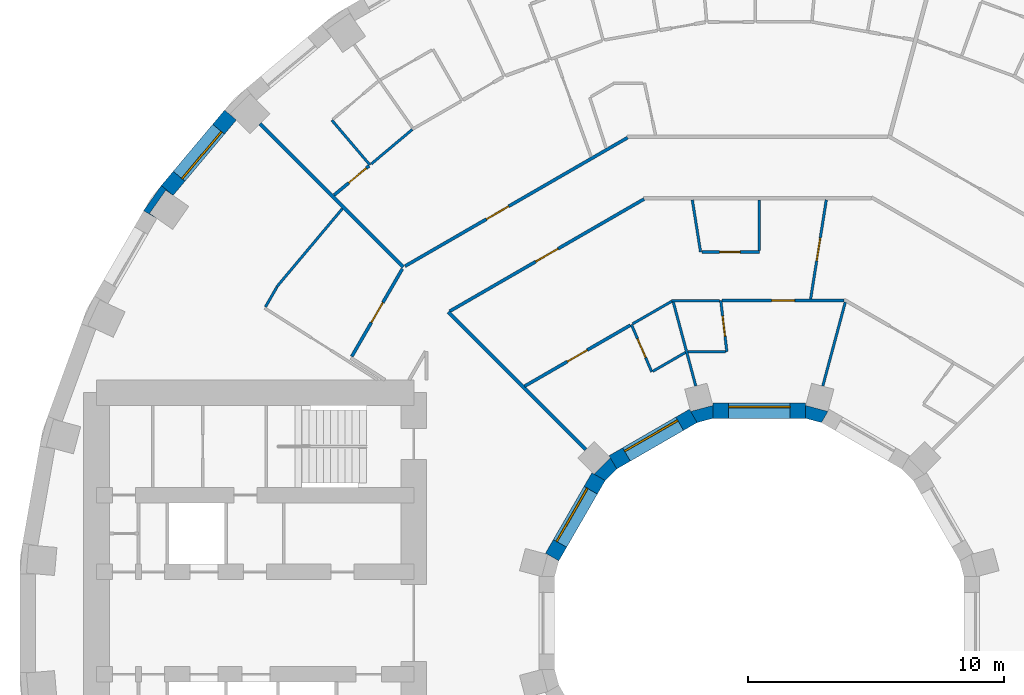
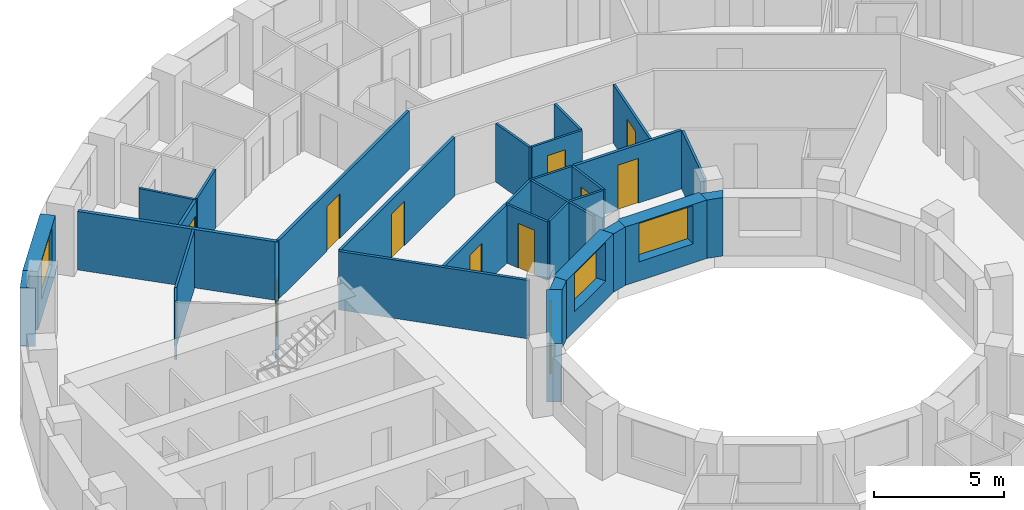
# One storey, part 11 of 16: 32 walls, 10 doors, 4 windows, 14 openings.
"""IFC4 building model written with IfcOpenShell, lengths in metres."""

from ifc_helpers import new_model, si_unit, direction, frame, frame_2d, origin, place, context, subcontext, project, spatial, polyline, rectangle, outline, extrude, material, layer, layer_set, type_object, element, fill, save


model = new_model("IFC4")

# Units and contexts
model_context = context("Model", 3, precision=1e-05, world=origin(), true_north=direction((0.0, 1.0)))
body_context = subcontext(model_context, "Body", "Model", "MODEL_VIEW")
ifc_project = project(units=[si_unit("LENGTHUNIT", "METRE"), si_unit("AREAUNIT", "SQUARE_METRE"), si_unit("VOLUMEUNIT", "CUBIC_METRE"), si_unit("PLANEANGLEUNIT", "RADIAN"), si_unit("MASSUNIT", "GRAM", prefix="KILO")], contexts=[model_context])

# Site, building, storey
site_placement = place(None, origin())
site = spatial("IfcSite", under=ifc_project, at=site_placement, CompositionType="ELEMENT")
building_placement = place(site_placement, origin())
building = spatial("IfcBuilding", under=site, at=building_placement, Name="Saqina Gate Tower", CompositionType="ELEMENT")
storey_placement = place(building_placement, frame((0.0, 0.0, 32.89990234375)))
storey = spatial("IfcBuildingStorey", under=building, at=storey_placement, Name="L08", CompositionType="ELEMENT", Elevation=32.89990234375)

# Wall
ifc_material_1 = material(Name="Brick masonry (red)", Category="masonry")
wall_type_1 = type_object("IfcWallType", Name="BRICK PIER COPING RED", PredefinedType="SOLIDWALL", material=ifc_material_1)
wall_1_placement = place(storey_placement, origin())
element("IfcWall", 1, at=wall_1_placement, inside=storey, type_object=wall_type_1, Name="Pier cap L08 column 15", PredefinedType="SOLIDWALL", context=body_context, shape_type="SweptSolid", body=[
    extrude(outline(polyline([(-23.36669921875, 17.096923828125), (-24.0576171875, 16.110107421875), (-23.5380859375, 15.81005859375), (-23.8251953125, 16.010986328125), (-23.194091796875, 16.912109375), (-22.9072265625, 16.711181640625), (-23.36669921875, 17.096923828125)])), origin(), (0.0, 0.0, 1.0), 2.75),
])

# Wall, opening, window
ifc_material_2 = material(Name="Brick masonry (red)", Category="masonry")
ifc_layer_1 = layer(ifc_material_2, 0.60009765625)
ifc_layer_set_1 = layer_set([ifc_layer_1], Name="FW-BRICK-RED")
wall_type_2 = type_object("IfcWallType", Name="FW-BRICK-RED", PredefinedType="SOLIDWALL", material=ifc_layer_set_1)
wall_2_placement = place(storey_placement, frame((-20.664794921875, 19.85009765625, 0.0), z_axis=(0.0, 0.0, 1.0), x_axis=(-0.642809392687, -0.766026164483, 0.0)))
wall_2 = element("IfcWall", 2, at=wall_2_placement, inside=storey, type_object=wall_type_2, Name="Facade wall L08 facet 14", PredefinedType="SOLIDWALL", context=body_context, shape_type="SweptSolid", body=[
    extrude(rectangle(XDim=3.845947265625, YDim=0.60009765625, at=frame_2d((1.9228515625, 0.0))), origin(), (0.0, 0.0, 1.0), 2.75),
])
opening_1_placement = place(wall_2_placement, frame((0.722900390625, 0.0, 0.89990234375)))
opening_1 = element("IfcOpeningElement", 3, at=opening_1_placement, cuts=wall_2, Name="Opening G01-W12", PredefinedType="OPENING", context=body_context, shape_type="SweptSolid", body=[
    extrude(rectangle(XDim=2.39990234375, YDim=1.800048828125, at=frame_2d((1.199951171875, 0.89990234375))), frame((0.0, 0.31201171875, 0.0), z_axis=(0.0, -1.0, 0.0), x_axis=(1.0, 0.0, 0.0)), (0.0, 0.0, 1.0), 0.6240234375),
])
ifc_material_3 = material(Name="Aluminium glazing", Category="aluminium")
window_type_1 = type_object("IfcWindowType", Name="WN-A", PartitioningType="SINGLE_PANEL", PredefinedType="WINDOW", material=ifc_material_3)
window_1_placement = place(opening_1_placement, origin())
window_1 = element("IfcWindow", 4, at=window_1_placement, inside=storey, type_object=window_type_1, Name="Window L08 facet 14", OverallHeight=1.800048828125, OverallWidth=2.39990234375, PartitioningType="SINGLE_PANEL", PredefinedType="WINDOW", context=body_context, shape_type="SweptSolid", body=[
    extrude(rectangle(XDim=2.39990234375, YDim=1.800048828125, at=frame_2d((1.199951171875, 0.89990234375))), frame((0.0, 0.179931640625, 0.0), z_axis=(0.0, -1.0, 0.0), x_axis=(1.0, 0.0, 0.0)), (0.0, 0.0, 1.0), 0.06005859375),
])
fill(opening_1, window_1)

ifc_material_4 = material(Name="Glazed ceramic tile", Category="ceramic")
ifc_layer_2 = layer(ifc_material_4, 0.60009765625)
ifc_layer_set_2 = layer_set([ifc_layer_2], Name="IW-TILE")
wall_type_3 = type_object("IfcWallType", Name="IW-TILE", PredefinedType="SOLIDWALL", material=ifc_layer_set_2)
wall_3_placement = place(storey_placement, frame((1.8125, 8.300048828125, 0.0), z_axis=(0.0, 0.0, 1.0), x_axis=(-1.0, 0.0, 0.0)))
wall_3 = element("IfcWall", 5, at=wall_3_placement, inside=storey, type_object=wall_type_3, Name="Well wall L08 facet 3", PredefinedType="SOLIDWALL", context=body_context, shape_type="SweptSolid", body=[
    extrude(rectangle(XDim=3.625, YDim=0.60009765625, at=frame_2d((1.8125, 0.0))), origin(), (0.0, 0.0, 1.0), 2.75),
])
opening_2_placement = place(wall_3_placement, frame((0.612548828125, 0.0, 0.89990234375)))
opening_2 = element("IfcOpeningElement", 6, at=opening_2_placement, cuts=wall_3, Name="Opening G01-W25", PredefinedType="OPENING", context=body_context, shape_type="SweptSolid", body=[
    extrude(rectangle(XDim=2.39990234375, YDim=1.800048828125, at=frame_2d((1.199951171875, 0.89990234375))), frame((0.0, 0.31201171875, 0.0), z_axis=(0.0, -1.0, 0.0), x_axis=(1.0, 0.0, 0.0)), (0.0, 0.0, 1.0), 0.6240234375),
])
ifc_material_5 = material(Name="Aluminium glazing", Category="aluminium")
window_type_2 = type_object("IfcWindowType", Name="WN-W", PartitioningType="SINGLE_PANEL", PredefinedType="WINDOW", material=ifc_material_5)
window_2_placement = place(opening_2_placement, origin())
window_2 = element("IfcWindow", 7, at=window_2_placement, inside=storey, type_object=window_type_2, Name="Well window L08 facet 3", OverallHeight=1.800048828125, OverallWidth=2.39990234375, PartitioningType="SINGLE_PANEL", PredefinedType="WINDOW", context=body_context, shape_type="SweptSolid", body=[
    extrude(rectangle(XDim=2.39990234375, YDim=1.800048828125, at=frame_2d((1.199951171875, 0.89990234375))), frame((0.0, -0.119873046875, 0.0), z_axis=(0.0, -1.0, 0.0), x_axis=(1.0, 0.0, 0.0)), (0.0, 0.0, 1.0), 0.06005859375),
])
fill(opening_2, window_2)

wall_4_placement = place(storey_placement, frame((-2.580322265625, 8.09423828125, 0.0), z_axis=(0.0, 0.0, 1.0), x_axis=(-0.866029693906, -0.499992569217, 0.0)))
wall_4 = element("IfcWall", 8, at=wall_4_placement, inside=storey, type_object=wall_type_3, Name="Well wall L08 facet 4", PredefinedType="SOLIDWALL", context=body_context, shape_type="SweptSolid", body=[
    extrude(rectangle(XDim=3.625, YDim=0.60009765625, at=frame_2d((1.8125, 0.0))), origin(), (0.0, 0.0, 1.0), 2.75),
])
opening_3_placement = place(wall_4_placement, frame((0.612548828125, 0.0, 0.89990234375)))
opening_3 = element("IfcOpeningElement", 9, at=opening_3_placement, cuts=wall_4, Name="Opening G01-W26", PredefinedType="OPENING", context=body_context, shape_type="SweptSolid", body=[
    extrude(rectangle(XDim=2.39990234375, YDim=1.800048828125, at=frame_2d((1.199951171875, 0.89990234375))), frame((0.0, 0.31201171875, 0.0), z_axis=(0.0, -1.0, 0.0), x_axis=(1.0, 0.0, 0.0)), (0.0, 0.0, 1.0), 0.6240234375),
])
window_3_placement = place(opening_3_placement, origin())
window_3 = element("IfcWindow", 10, at=window_3_placement, inside=storey, type_object=window_type_2, Name="Well window L08 facet 4", OverallHeight=1.800048828125, OverallWidth=2.39990234375, PartitioningType="SINGLE_PANEL", PredefinedType="WINDOW", context=body_context, shape_type="SweptSolid", body=[
    extrude(rectangle(XDim=2.39990234375, YDim=1.800048828125, at=frame_2d((1.199951171875, 0.89990234375))), frame((0.0, -0.119873046875, 0.0), z_axis=(0.0, -1.0, 0.0), x_axis=(1.0, 0.0, 0.0)), (0.0, 0.0, 1.0), 0.06005859375),
])
fill(opening_3, window_3)

wall_5_placement = place(storey_placement, frame((-6.28173828125, 5.7197265625, 0.0), z_axis=(0.0, 0.0, 1.0), x_axis=(-0.499992569217, -0.866029693906, 0.0)))
wall_5 = element("IfcWall", 11, at=wall_5_placement, inside=storey, type_object=wall_type_3, Name="Well wall L08 facet 5", PredefinedType="SOLIDWALL", context=body_context, shape_type="SweptSolid", body=[
    extrude(rectangle(XDim=3.625, YDim=0.60009765625, at=frame_2d((1.8125, 0.0))), origin(), (0.0, 0.0, 1.0), 2.75),
])
opening_4_placement = place(wall_5_placement, frame((0.612548828125, 0.0, 0.89990234375)))
opening_4 = element("IfcOpeningElement", 12, at=opening_4_placement, cuts=wall_5, Name="Opening G01-W27", PredefinedType="OPENING", context=body_context, shape_type="SweptSolid", body=[
    extrude(rectangle(XDim=2.39990234375, YDim=1.800048828125, at=frame_2d((1.199951171875, 0.89990234375))), frame((0.0, 0.31201171875, 0.0), z_axis=(0.0, -1.0, 0.0), x_axis=(1.0, 0.0, 0.0)), (0.0, 0.0, 1.0), 0.6240234375),
])
window_4_placement = place(opening_4_placement, origin())
window_4 = element("IfcWindow", 13, at=window_4_placement, inside=storey, type_object=window_type_2, Name="Well window L08 facet 5", OverallHeight=1.800048828125, OverallWidth=2.39990234375, PartitioningType="SINGLE_PANEL", PredefinedType="WINDOW", context=body_context, shape_type="SweptSolid", body=[
    extrude(rectangle(XDim=2.39990234375, YDim=1.800048828125, at=frame_2d((1.199951171875, 0.89990234375))), frame((0.0, -0.119873046875, 0.0), z_axis=(0.0, -1.0, 0.0), x_axis=(1.0, 0.0, 0.0)), (0.0, 0.0, 1.0), 0.06005859375),
])
fill(opening_4, window_4)

# Wall, opening, door
ifc_material_6 = material(Name="Gypsum board on steel studs, 100 mm", Category="steel")
ifc_layer_3 = layer(ifc_material_6, 0.10009765625)
ifc_layer_set_3 = layer_set([ifc_layer_3], Name="PARTITION 100")
wall_type_4 = type_object("IfcWallType", Name="PARTITION 100", PredefinedType="PARTITIONING", material=ifc_layer_set_3)
wall_6_placement = place(storey_placement, frame((-1.506103515625, 12.60009765625, 0.0), z_axis=(0.0, 0.0, 1.0), x_axis=(0.11866247814, -0.992934648545, 0.0)))
wall_6 = element("IfcWall", 14, at=wall_6_placement, inside=storey, type_object=wall_type_4, Name="PARTITION PW3-05", PredefinedType="PARTITIONING", context=body_context, shape_type="SweptSolid", body=[
    extrude(rectangle(XDim=2.01416015625, YDim=0.10009765625, at=frame_2d((1.007080078125, 0.0))), origin(), (0.0, 0.0, 1.0), 2.75),
])
opening_5_placement = place(wall_6_placement, frame((0.607177734375, 0.0, 0.0)))
opening_5 = element("IfcOpeningElement", 15, at=opening_5_placement, cuts=wall_6, Name="Opening G01-D23", PredefinedType="OPENING", context=body_context, shape_type="SweptSolid", body=[
    extrude(rectangle(XDim=0.800048828125, YDim=2.10009765625, at=frame_2d((0.39990234375, 1.050048828125))), frame((0.0, 0.06201171875, 0.0), z_axis=(0.0, -1.0, 0.0), x_axis=(1.0, 0.0, 0.0)), (0.0, 0.0, 1.0), 0.1240234375),
])
ifc_material_7 = material(Name="Timber door leaf, 800 mm", Category="wood")
door_type_1 = type_object("IfcDoorType", Name="DOOR 800 TIMBER", OperationType="SINGLE_SWING_LEFT", PredefinedType="DOOR", material=ifc_material_7)
door_1_placement = place(opening_5_placement, origin())
door_1 = element("IfcDoor", 16, at=door_1_placement, inside=storey, type_object=door_type_1, Name="DOOR G01-D23", OperationType="SINGLE_SWING_LEFT", OverallHeight=2.10009765625, OverallWidth=0.800048828125, PredefinedType="DOOR", context=body_context, shape_type="SweptSolid", body=[
    extrude(rectangle(XDim=0.800048828125, YDim=2.10009765625, at=frame_2d((0.39990234375, 1.050048828125))), frame((0.0, 0.02490234375, 0.0), z_axis=(0.0, -1.0, 0.0), x_axis=(1.0, 0.0, 0.0)), (0.0, 0.0, 1.0), 0.050048828125),
])
fill(opening_5, door_1)

# Walls
wall_7_placement = place(storey_placement, frame((-2.6171875, 16.538330078125, 0.0), z_axis=(0.0, 0.0, 1.0), x_axis=(0.156163049852, -0.987731290312, 0.0)))
element("IfcWall", 17, at=wall_7_placement, inside=storey, type_object=wall_type_4, Name="PARTITION PW3-07", PredefinedType="PARTITIONING", context=body_context, shape_type="SweptSolid", body=[
    extrude(rectangle(XDim=2.063720703125, YDim=0.10009765625, at=frame_2d((1.03173828125, 0.0))), origin(), (0.0, 0.0, 1.0), 2.75),
])
wall_8_placement = place(storey_placement, frame((-3.362060546875, 12.552001953125, 0.0), z_axis=(0.0, 0.0, 1.0), x_axis=(0.258323584226, -0.966058448456, 0.0)))
element("IfcWall", 18, at=wall_8_placement, inside=storey, type_object=wall_type_4, Name="PARTITION PW3-13", PredefinedType="PARTITIONING", context=body_context, shape_type="SweptSolid", body=[
    extrude(rectangle(XDim=3.40234375, YDim=0.10009765625, at=frame_2d((1.701171875, 0.0))), origin(), (0.0, 0.0, 1.0), 2.75),
])

# Wall, opening, door
wall_9_placement = place(storey_placement, frame((-4.99609375, 11.6650390625, 0.0), z_axis=(0.0, 0.0, 1.0), x_axis=(0.39369991752, -0.919239019485, 0.0)))
wall_9 = element("IfcWall", 19, at=wall_9_placement, inside=storey, type_object=wall_type_4, Name="PARTITION PW3-19", PredefinedType="PARTITIONING", context=body_context, shape_type="SweptSolid", body=[
    extrude(rectangle(XDim=2.0146484375, YDim=0.10009765625, at=frame_2d((1.00732421875, 0.0))), origin(), (0.0, 0.0, 1.0), 2.75),
])
opening_6_placement = place(wall_9_placement, frame((0.607421875, 0.0, 0.0)))
opening_6 = element("IfcOpeningElement", 20, at=opening_6_placement, cuts=wall_9, Name="Opening G01-D30", PredefinedType="OPENING", context=body_context, shape_type="SweptSolid", body=[
    extrude(rectangle(XDim=0.800048828125, YDim=2.10009765625, at=frame_2d((0.39990234375, 1.050048828125))), frame((0.0, 0.06201171875, 0.0), z_axis=(0.0, -1.0, 0.0), x_axis=(1.0, 0.0, 0.0)), (0.0, 0.0, 1.0), 0.1240234375),
])
door_2_placement = place(opening_6_placement, frame((0.800048828125, 0.0, 0.0), z_axis=(0.0, 0.0, 1.0), x_axis=(-1.0, 0.0, 0.0)))
door_2 = element("IfcDoor", 21, at=door_2_placement, inside=storey, type_object=door_type_1, Name="DOOR G01-D30", OperationType="SINGLE_SWING_RIGHT", OverallHeight=2.10009765625, OverallWidth=0.800048828125, PredefinedType="DOOR", context=body_context, shape_type="SweptSolid", body=[
    extrude(rectangle(XDim=0.800048828125, YDim=2.10009765625, at=frame_2d((0.39990234375, 1.050048828125))), frame((0.0, 0.02490234375, 0.0), z_axis=(0.0, -1.0, 0.0), x_axis=(1.0, 0.0, 0.0)), (0.0, 0.0, 1.0), 0.050048828125),
])
fill(opening_6, door_2)

# Walls
wall_10_placement = place(storey_placement, frame((-16.7041015625, 19.64990234375, 0.0), z_axis=(0.0, 0.0, 1.0), x_axis=(0.647857930374, -0.761761184395, 0.0)))
element("IfcWall", 22, at=wall_10_placement, inside=storey, type_object=wall_type_4, Name="PARTITION PW3-31", PredefinedType="PARTITIONING", context=body_context, shape_type="SweptSolid", body=[
    extrude(rectangle(XDim=2.2998046875, YDim=0.10009765625, at=frame_2d((1.14990234375, 0.0))), origin(), (0.0, 0.0, 1.0), 2.75),
])
wall_11_placement = place(storey_placement, frame((-2.7900390625, 10.60009765625, 0.0), z_axis=(0.0, 0.0, 1.0), x_axis=(1.0, 0.0, 0.0)))
element("IfcWall", 23, at=wall_11_placement, inside=storey, type_object=wall_type_4, Name="PARTITION PW3-61", PredefinedType="PARTITIONING", context=body_context, shape_type="SweptSolid", body=[
    extrude(rectangle(XDim=1.47314453125, YDim=0.10009765625, at=frame_2d((0.736572265625, 0.0))), origin(), (0.0, 0.0, 1.0), 2.75),
])
wall_12_placement = place(storey_placement, frame((-3.433837890625, 12.60009765625, 0.0), z_axis=(0.0, 0.0, 1.0), x_axis=(1.0, 0.0, 0.0)))
element("IfcWall", 24, at=wall_12_placement, inside=storey, type_object=wall_type_4, Name="PARTITION PW3-62", PredefinedType="PARTITIONING", context=body_context, shape_type="SweptSolid", body=[
    extrude(rectangle(XDim=1.8779296875, YDim=0.10009765625, at=frame_2d((0.93896484375, 0.0))), origin(), (0.0, 0.0, 1.0), 2.75),
])

# Wall, opening, door
wall_13_placement = place(storey_placement, frame((-2.2451171875, 14.5, 0.0), z_axis=(0.0, 0.0, 1.0), x_axis=(1.0, 0.0, 0.0)))
wall_13 = element("IfcWall", 25, at=wall_13_placement, inside=storey, type_object=wall_type_4, Name="PARTITION PW3-63", PredefinedType="PARTITIONING", context=body_context, shape_type="SweptSolid", body=[
    extrude(rectangle(XDim=2.2451171875, YDim=0.10009765625, at=frame_2d((1.12255859375, 0.0))), origin(), (0.0, 0.0, 1.0), 2.75),
])
opening_7_placement = place(wall_13_placement, frame((0.697509765625, 0.0, 0.0)))
opening_7 = element("IfcOpeningElement", 26, at=opening_7_placement, cuts=wall_13, Name="Opening G01-D22", PredefinedType="OPENING", context=body_context, shape_type="SweptSolid", body=[
    extrude(rectangle(XDim=0.800048828125, YDim=2.10009765625, at=frame_2d((0.39990234375, 1.050048828125))), frame((0.0, 0.06201171875, 0.0), z_axis=(0.0, -1.0, 0.0), x_axis=(1.0, 0.0, 0.0)), (0.0, 0.0, 1.0), 0.1240234375),
])
door_3_placement = place(opening_7_placement, frame((0.800048828125, 0.0, 0.0), z_axis=(0.0, 0.0, 1.0), x_axis=(-1.0, 0.0, 0.0)))
door_3 = element("IfcDoor", 27, at=door_3_placement, inside=storey, type_object=door_type_1, Name="DOOR G01-D22", OperationType="SINGLE_SWING_RIGHT", OverallHeight=2.10009765625, OverallWidth=0.800048828125, PredefinedType="DOOR", context=body_context, shape_type="SweptSolid", body=[
    extrude(rectangle(XDim=0.800048828125, YDim=2.10009765625, at=frame_2d((0.39990234375, 1.050048828125))), frame((0.0, 0.02490234375, 0.0), z_axis=(0.0, -1.0, 0.0), x_axis=(1.0, 0.0, 0.0)), (0.0, 0.0, 1.0), 0.050048828125),
])
fill(opening_7, door_3)

# Walls
wall_14_placement = place(storey_placement, frame((-4.15966796875, 9.837890625, 0.0), z_axis=(0.0, 0.0, 1.0), x_axis=(0.865981447571, 0.500076126667, 0.0)))
element("IfcWall", 28, at=wall_14_placement, inside=storey, type_object=wall_type_4, Name="PARTITION PW3-78", PredefinedType="PARTITIONING", context=body_context, shape_type="SweptSolid", body=[
    extrude(rectangle(XDim=1.473876953125, YDim=0.10009765625, at=frame_2d((0.73681640625, 0.0))), origin(), (0.0, 0.0, 1.0), 2.75),
])
wall_15_placement = place(storey_placement, frame((-4.95263671875, 11.68994140625, 0.0), z_axis=(0.0, 0.0, 1.0), x_axis=(0.86610522661, 0.499861717316, 0.0)))
element("IfcWall", 29, at=wall_15_placement, inside=storey, type_object=wall_type_4, Name="PARTITION PW3-79", PredefinedType="PARTITIONING", context=body_context, shape_type="SweptSolid", body=[
    extrude(rectangle(XDim=1.7705078125, YDim=0.10009765625, at=frame_2d((0.88525390625, 0.0))), origin(), (0.0, 0.0, 1.0), 2.75),
])
wall_16_placement = place(storey_placement, frame((-15.166015625, 17.938232421875, 0.0), z_axis=(0.0, 0.0, 1.0), x_axis=(0.766084035901, 0.642740421895, 0.0)))
element("IfcWall", 30, at=wall_16_placement, inside=storey, type_object=wall_type_4, Name="PARTITION PW3-87", PredefinedType="PARTITIONING", context=body_context, shape_type="SweptSolid", body=[
    extrude(rectangle(XDim=2.09228515625, YDim=0.10009765625, at=frame_2d((1.046142578125, 0.0))), origin(), (0.0, 0.0, 1.0), 2.75),
])
wall_17_placement = place(storey_placement, frame((-18.854736328125, 13.14013671875, 0.0), z_axis=(0.0, 0.0, 1.0), x_axis=(0.642918792106, 0.765934348856, 0.0)))
element("IfcWall", 31, at=wall_17_placement, inside=storey, type_object=wall_type_4, Name="PARTITION PW3-93", PredefinedType="PARTITIONING", context=body_context, shape_type="SweptSolid", body=[
    extrude(rectangle(XDim=3.981201171875, YDim=0.10009765625, at=frame_2d((1.99072265625, 0.0))), origin(), (0.0, 0.0, 1.0), 2.75),
])
wall_18_placement = place(storey_placement, frame((-19.300048828125, 12.350341796875, 0.0), z_axis=(0.0, 0.0, 1.0), x_axis=(0.499730223204, 0.866181103474, 0.0)))
element("IfcWall", 32, at=wall_18_placement, inside=storey, type_object=wall_type_4, Name="PARTITION PW3-102", PredefinedType="PARTITIONING", context=body_context, shape_type="SweptSolid", body=[
    extrude(rectangle(XDim=0.90673828125, YDim=0.10009765625, at=frame_2d((0.453369140625, 0.0))), origin(), (0.0, 0.0, 1.0), 2.75),
])
wall_19_placement = place(storey_placement, frame((2.482666015625, 9.265380859375, 0.0), z_axis=(0.0, 0.0, 1.0), x_axis=(0.258787687785, 0.965934227911, 0.0)))
element("IfcWall", 33, at=wall_19_placement, inside=storey, type_object=wall_type_4, Name="PARTITION PW3-110", PredefinedType="PARTITIONING", context=body_context, shape_type="SweptSolid", body=[
    extrude(rectangle(XDim=3.3896484375, YDim=0.10009765625, at=frame_2d((1.69482421875, 0.0))), origin(), (0.0, 0.0, 1.0), 2.75),
])

# Wall, opening, door
wall_20_placement = place(storey_placement, frame((2.005859375, 12.66162109375, 0.0), z_axis=(0.0, 0.0, 1.0), x_axis=(0.15625323836, 0.987717027039, 0.0)))
wall_20 = element("IfcWall", 34, at=wall_20_placement, inside=storey, type_object=wall_type_4, Name="PARTITION PW3-115", PredefinedType="PARTITIONING", context=body_context, shape_type="SweptSolid", body=[
    extrude(rectangle(XDim=3.9248046875, YDim=0.10009765625, at=frame_2d((1.96240234375, 0.0))), origin(), (0.0, 0.0, 1.0), 2.75),
])
opening_8_placement = place(wall_20_placement, frame((1.512451171875, 0.0, 0.0)))
opening_8 = element("IfcOpeningElement", 35, at=opening_8_placement, cuts=wall_20, Name="Opening G01-D17", PredefinedType="OPENING", context=body_context, shape_type="SweptSolid", body=[
    extrude(rectangle(XDim=0.89990234375, YDim=2.10009765625, at=frame_2d((0.449951171875, 1.050048828125))), frame((0.0, 0.06201171875, 0.0), z_axis=(0.0, -1.0, 0.0), x_axis=(1.0, 0.0, 0.0)), (0.0, 0.0, 1.0), 0.1240234375),
])
ifc_material_8 = material(Name="Timber door leaf, 900 mm", Category="wood")
door_type_2 = type_object("IfcDoorType", Name="DOOR 900 TIMBER", OperationType="SINGLE_SWING_LEFT", PredefinedType="DOOR", material=ifc_material_8)
door_4_placement = place(opening_8_placement, origin())
door_4 = element("IfcDoor", 36, at=door_4_placement, inside=storey, type_object=door_type_2, Name="DOOR G01-D17", OperationType="SINGLE_SWING_RIGHT", OverallHeight=2.10009765625, OverallWidth=0.89990234375, PredefinedType="DOOR", context=body_context, shape_type="SweptSolid", body=[
    extrude(rectangle(XDim=0.89990234375, YDim=2.10009765625, at=frame_2d((0.449951171875, 1.050048828125))), frame((0.0, 0.02490234375, 0.0), z_axis=(0.0, -1.0, 0.0), x_axis=(1.0, 0.0, 0.0)), (0.0, 0.0, 1.0), 0.050048828125),
])
fill(opening_8, door_4)

# Walls
wall_21_placement = place(storey_placement, frame((0.0, 14.550048828125, 0.0), z_axis=(0.0, 0.0, 1.0), x_axis=(0.0, 1.0, 0.0)))
element("IfcWall", 37, at=wall_21_placement, inside=storey, type_object=wall_type_4, Name="PARTITION PW3-121", PredefinedType="PARTITIONING", context=body_context, shape_type="SweptSolid", body=[
    extrude(rectangle(XDim=1.987548828125, YDim=0.10009765625, at=frame_2d((0.99365234375, 0.0))), origin(), (0.0, 0.0, 1.0), 2.75),
])
ifc_material_9 = material(Name="Gypsum board on steel studs, 125 mm, fire rated", Category="steel")
ifc_layer_4 = layer(ifc_material_9, 0.125)
ifc_layer_set_4 = layer_set([ifc_layer_4], Name="PARTITION EI 30 125")
wall_type_5 = type_object("IfcWallType", Name="PARTITION EI 30 125", PredefinedType="PARTITIONING", material=ifc_layer_set_4)
wall_22_placement = place(storey_placement, frame((-12.152099609375, 12.152099609375, 0.0), z_axis=(0.0, 0.0, 1.0), x_axis=(0.707106781187, -0.707106781187, 0.0)))
element("IfcWall", 38, at=wall_22_placement, inside=storey, type_object=wall_type_5, Name="PARTITION PW1-08", PredefinedType="PARTITIONING", context=body_context, shape_type="SweptSolid", body=[
    extrude(rectangle(XDim=7.593505859375, YDim=0.125, at=frame_2d((3.796875, 0.0))), origin(), (0.0, 0.0, 1.0), 2.75),
])

# Wall, opening, door
wall_23_placement = place(storey_placement, frame((-1.4560546875, 12.60009765625, 0.0), z_axis=(0.0, 0.0, 1.0), x_axis=(1.0, 0.0, 0.0)))
wall_23 = element("IfcWall", 39, at=wall_23_placement, inside=storey, type_object=wall_type_5, Name="PARTITION PW1-29", PredefinedType="PARTITIONING", context=body_context, shape_type="SweptSolid", body=[
    extrude(rectangle(XDim=4.76953125, YDim=0.125, at=frame_2d((2.384765625, 0.0))), origin(), (0.0, 0.0, 1.0), 2.75),
])
opening_9_placement = place(wall_23_placement, frame((1.94091796875, 0.0, 0.0)))
opening_9 = element("IfcOpeningElement", 40, at=opening_9_placement, cuts=wall_23, Name="Opening G01-D19", PredefinedType="OPENING", context=body_context, shape_type="SweptSolid", body=[
    extrude(rectangle(XDim=0.89990234375, YDim=2.10009765625, at=frame_2d((0.449951171875, 1.050048828125))), frame((0.0, 0.074462890625, 0.0), z_axis=(0.0, -1.0, 0.0), x_axis=(1.0, 0.0, 0.0)), (0.0, 0.0, 1.0), 0.14892578125),
])
ifc_material_10 = material(Name="Fire door leaf EI 30, 900 mm")
door_type_3 = type_object("IfcDoorType", Name="DOOR 900 EI 30", OperationType="SINGLE_SWING_LEFT", PredefinedType="DOOR", material=ifc_material_10)
door_5_placement = place(opening_9_placement, origin())
door_5 = element("IfcDoor", 41, at=door_5_placement, inside=storey, type_object=door_type_3, Name="DOOR G01-D19", OperationType="SINGLE_SWING_RIGHT", OverallHeight=2.10009765625, OverallWidth=0.89990234375, PredefinedType="DOOR", context=body_context, shape_type="SweptSolid", body=[
    extrude(rectangle(XDim=0.89990234375, YDim=2.10009765625, at=frame_2d((0.449951171875, 1.050048828125))), frame((0.0, 0.02490234375, 0.0), z_axis=(0.0, -1.0, 0.0), x_axis=(1.0, 0.0, 0.0)), (0.0, 0.0, 1.0), 0.050048828125),
])
fill(opening_9, door_5)

wall_24_placement = place(storey_placement, frame((-9.169921875, 9.25537109375, 0.0), z_axis=(0.0, 0.0, 1.0), x_axis=(0.866051761422, 0.499954344453, 0.0)))
wall_24 = element("IfcWall", 42, at=wall_24_placement, inside=storey, type_object=wall_type_5, Name="PARTITION PW1-40", PredefinedType="PARTITIONING", context=body_context, shape_type="SweptSolid", body=[
    extrude(rectangle(XDim=4.76953125, YDim=0.125, at=frame_2d((2.384765625, 0.0))), origin(), (0.0, 0.0, 1.0), 2.75),
])
opening_10_placement = place(wall_24_placement, frame((1.928466796875, 0.0, 0.0)))
opening_10 = element("IfcOpeningElement", 43, at=opening_10_placement, cuts=wall_24, Name="Opening G01-D35", PredefinedType="OPENING", context=body_context, shape_type="SweptSolid", body=[
    extrude(rectangle(XDim=0.89990234375, YDim=2.10009765625, at=frame_2d((0.449951171875, 1.050048828125))), frame((0.0, 0.074462890625, 0.0), z_axis=(0.0, -1.0, 0.0), x_axis=(1.0, 0.0, 0.0)), (0.0, 0.0, 1.0), 0.14892578125),
])
door_6_placement = place(opening_10_placement, origin())
door_6 = element("IfcDoor", 44, at=door_6_placement, inside=storey, type_object=door_type_3, Name="DOOR G01-D35", OperationType="SINGLE_SWING_LEFT", OverallHeight=2.10009765625, OverallWidth=0.89990234375, PredefinedType="DOOR", context=body_context, shape_type="SweptSolid", body=[
    extrude(rectangle(XDim=0.89990234375, YDim=2.10009765625, at=frame_2d((0.449951171875, 1.050048828125))), frame((0.0, 0.02490234375, 0.0), z_axis=(0.0, -1.0, 0.0), x_axis=(1.0, 0.0, 0.0)), (0.0, 0.0, 1.0), 0.050048828125),
])
fill(opening_10, door_6)

wall_25_placement = place(storey_placement, frame((-12.097900390625, 12.183349609375, 0.0), z_axis=(0.0, 0.0, 1.0), x_axis=(0.8660196372, 0.500009987883, 0.0)))
wall_25 = element("IfcWall", 45, at=wall_25_placement, inside=storey, type_object=wall_type_5, Name="PARTITION PW1-41", PredefinedType="PARTITIONING", context=body_context, shape_type="SweptSolid", body=[
    extrude(rectangle(XDim=8.770751953125, YDim=0.125, at=frame_2d((4.38525390625, 0.0))), origin(), (0.0, 0.0, 1.0), 2.75),
])
opening_11_placement = place(wall_25_placement, frame((3.885498046875, 0.0, 0.0)))
opening_11 = element("IfcOpeningElement", 46, at=opening_11_placement, cuts=wall_25, Name="Opening G01-D32", PredefinedType="OPENING", context=body_context, shape_type="SweptSolid", body=[
    extrude(rectangle(XDim=1.0, YDim=2.10009765625, at=frame_2d((0.5, 1.050048828125))), frame((0.0, 0.074462890625, 0.0), z_axis=(0.0, -1.0, 0.0), x_axis=(1.0, 0.0, 0.0)), (0.0, 0.0, 1.0), 0.14892578125),
])
ifc_material_11 = material(Name="Fire door leaf EI 30, 1000 mm")
door_type_4 = type_object("IfcDoorType", Name="DOOR 1000 EI 30", OperationType="SINGLE_SWING_LEFT", PredefinedType="DOOR", material=ifc_material_11)
door_7_placement = place(opening_11_placement, frame((1.0, 0.0, 0.0), z_axis=(0.0, 0.0, 1.0), x_axis=(-1.0, 0.0, 0.0)))
door_7 = element("IfcDoor", 47, at=door_7_placement, inside=storey, type_object=door_type_4, Name="DOOR G01-D32", OperationType="SINGLE_SWING_RIGHT", OverallHeight=2.10009765625, OverallWidth=1.0, PredefinedType="DOOR", context=body_context, shape_type="SweptSolid", body=[
    extrude(rectangle(XDim=1.0, YDim=2.10009765625, at=frame_2d((0.5, 1.050048828125))), frame((0.0, 0.02490234375, 0.0), z_axis=(0.0, -1.0, 0.0), x_axis=(1.0, 0.0, 0.0)), (0.0, 0.0, 1.0), 0.050048828125),
])
fill(opening_11, door_7)

wall_26_placement = place(storey_placement, frame((-13.843994140625, 13.946533203125, 0.0), z_axis=(0.0, 0.0, 1.0), x_axis=(0.866031375826, 0.499989655977, 0.0)))
wall_26 = element("IfcWall", 48, at=wall_26_placement, inside=storey, type_object=wall_type_5, Name="PARTITION PW1-42", PredefinedType="PARTITIONING", context=body_context, shape_type="SweptSolid", body=[
    extrude(rectangle(XDim=10.044677734375, YDim=0.125, at=frame_2d((5.0224609375, 0.0))), origin(), (0.0, 0.0, 1.0), 2.75),
])
opening_12_placement = place(wall_26_placement, frame((3.67431640625, 0.0, 0.0)))
opening_12 = element("IfcOpeningElement", 49, at=opening_12_placement, cuts=wall_26, Name="Opening G01-D34", PredefinedType="OPENING", context=body_context, shape_type="SweptSolid", body=[
    extrude(rectangle(XDim=1.0, YDim=2.10009765625, at=frame_2d((0.5, 1.050048828125))), frame((0.0, 0.074462890625, 0.0), z_axis=(0.0, -1.0, 0.0), x_axis=(1.0, 0.0, 0.0)), (0.0, 0.0, 1.0), 0.14892578125),
])
door_8_placement = place(opening_12_placement, origin())
door_8 = element("IfcDoor", 50, at=door_8_placement, inside=storey, type_object=door_type_4, Name="DOOR G01-D34", OperationType="SINGLE_SWING_LEFT", OverallHeight=2.10009765625, OverallWidth=1.0, PredefinedType="DOOR", context=body_context, shape_type="SweptSolid", body=[
    extrude(rectangle(XDim=1.0, YDim=2.10009765625, at=frame_2d((0.5, 1.050048828125))), frame((0.0, 0.02490234375, 0.0), z_axis=(0.0, -1.0, 0.0), x_axis=(1.0, 0.0, 0.0)), (0.0, 0.0, 1.0), 0.050048828125),
])
fill(opening_12, door_8)

wall_27_placement = place(storey_placement, frame((-16.6162109375, 16.721923828125, 0.0), z_axis=(0.0, 0.0, 1.0), x_axis=(0.766814187789, 0.641869146638, 0.0)))
wall_27 = element("IfcWall", 51, at=wall_27_placement, inside=storey, type_object=wall_type_5, Name="PARTITION PW1-46", PredefinedType="PARTITIONING", context=body_context, shape_type="SweptSolid", body=[
    extrude(rectangle(XDim=1.780029296875, YDim=0.125, at=frame_2d((0.89013671875, 0.0))), origin(), (0.0, 0.0, 1.0), 2.75),
])
opening_13_placement = place(wall_27_placement, frame((0.740234375, 0.0, 0.0)))
opening_13 = element("IfcOpeningElement", 52, at=opening_13_placement, cuts=wall_27, Name="Opening G01-D37", PredefinedType="OPENING", context=body_context, shape_type="SweptSolid", body=[
    extrude(rectangle(XDim=0.89990234375, YDim=2.10009765625, at=frame_2d((0.449951171875, 1.050048828125))), frame((0.0, 0.074462890625, 0.0), z_axis=(0.0, -1.0, 0.0), x_axis=(1.0, 0.0, 0.0)), (0.0, 0.0, 1.0), 0.14892578125),
])
door_9_placement = place(opening_13_placement, frame((0.89990234375, 0.0, 0.0), z_axis=(0.0, 0.0, 1.0), x_axis=(-1.0, 0.0, 0.0)))
door_9 = element("IfcDoor", 53, at=door_9_placement, inside=storey, type_object=door_type_3, Name="DOOR G01-D37", OperationType="SINGLE_SWING_LEFT", OverallHeight=2.10009765625, OverallWidth=0.89990234375, PredefinedType="DOOR", context=body_context, shape_type="SweptSolid", body=[
    extrude(rectangle(XDim=0.89990234375, YDim=2.10009765625, at=frame_2d((0.449951171875, 1.050048828125))), frame((0.0, 0.02490234375, 0.0), z_axis=(0.0, -1.0, 0.0), x_axis=(1.0, 0.0, 0.0)), (0.0, 0.0, 1.0), 0.050048828125),
])
fill(opening_13, door_9)

wall_28_placement = place(storey_placement, frame((-15.92578125, 10.416015625, 0.0), z_axis=(0.0, 0.0, 1.0), x_axis=(0.500019653581, 0.866014056487, 0.0)))
wall_28 = element("IfcWall", 54, at=wall_28_placement, inside=storey, type_object=wall_type_5, Name="PARTITION PW1-52", PredefinedType="PARTITIONING", context=body_context, shape_type="SweptSolid", body=[
    extrude(rectangle(XDim=3.958251953125, YDim=0.125, at=frame_2d((1.97900390625, 0.0))), origin(), (0.0, 0.0, 1.0), 2.75),
])
opening_14_placement = place(wall_28_placement, frame((1.535400390625, 0.0, 0.0)))
opening_14 = element("IfcOpeningElement", 55, at=opening_14_placement, cuts=wall_28, Name="Opening G01-D38", PredefinedType="OPENING", context=body_context, shape_type="SweptSolid", body=[
    extrude(rectangle(XDim=0.89990234375, YDim=2.10009765625, at=frame_2d((0.449951171875, 1.050048828125))), frame((0.0, 0.074462890625, 0.0), z_axis=(0.0, -1.0, 0.0), x_axis=(1.0, 0.0, 0.0)), (0.0, 0.0, 1.0), 0.14892578125),
])
door_10_placement = place(opening_14_placement, origin())
door_10 = element("IfcDoor", 56, at=door_10_placement, inside=storey, type_object=door_type_3, Name="DOOR G01-D38", OperationType="SINGLE_SWING_RIGHT", OverallHeight=2.10009765625, OverallWidth=0.89990234375, PredefinedType="DOOR", context=body_context, shape_type="SweptSolid", body=[
    extrude(rectangle(XDim=0.89990234375, YDim=2.10009765625, at=frame_2d((0.449951171875, 1.050048828125))), frame((0.0, 0.02490234375, 0.0), z_axis=(0.0, -1.0, 0.0), x_axis=(1.0, 0.0, 0.0)), (0.0, 0.0, 1.0), 0.050048828125),
])
fill(opening_14, door_10)

# Walls
ifc_material_12 = material(Name="Gypsum board on steel studs, 150 mm, fire rated", Category="steel")
ifc_layer_5 = layer(ifc_material_12, 0.14990234375)
ifc_layer_set_5 = layer_set([ifc_layer_5], Name="PARTITION EI 60 150")
wall_type_6 = type_object("IfcWallType", Name="PARTITION EI 60 150", PredefinedType="PARTITIONING", material=ifc_layer_set_5)
wall_29_placement = place(storey_placement, frame((-19.509033203125, 19.509033203125, 0.0), z_axis=(0.0, 0.0, 1.0), x_axis=(0.707106781187, -0.707106781187, 0.0)))
element("IfcWall", 57, at=wall_29_placement, inside=storey, type_object=wall_type_6, Name="PARTITION PW2-02", PredefinedType="PARTITIONING", context=body_context, shape_type="SweptSolid", body=[
    extrude(rectangle(XDim=7.919677734375, YDim=0.14990234375, at=frame_2d((3.9599609375, 0.0))), origin(), (0.0, 0.0, 1.0), 2.75),
])
ifc_material_13 = material(Name="Glazed ceramic tile", Category="ceramic")
wall_type_7 = type_object("IfcWallType", Name="TILE PIER COPING", PredefinedType="SOLIDWALL", material=ifc_material_13)
wall_30_placement = place(storey_placement, origin())
element("IfcWall", 58, at=wall_30_placement, inside=storey, type_object=wall_type_7, Name="Well pier cap L08 column 3", PredefinedType="SOLIDWALL", context=body_context, shape_type="SweptSolid", body=[
    extrude(outline(polyline([(1.8125, 8.502685546875), (1.8125, 8.0), (2.430419921875, 7.83447265625), (2.681884765625, 8.27001953125), (1.8125, 8.502685546875)])), origin(), (0.0, 0.0, 1.0), 2.75),
])
wall_31_placement = place(storey_placement, origin())
element("IfcWall", 59, at=wall_31_placement, inside=storey, type_object=wall_type_7, Name="Well pier cap L08 column 4", PredefinedType="SOLIDWALL", context=body_context, shape_type="SweptSolid", body=[
    extrude(outline(polyline([(-2.681884765625, 8.27001953125), (-2.430419921875, 7.83447265625), (-1.8125, 8.0), (-1.8125, 8.502685546875), (-2.681884765625, 8.27001953125)])), origin(), (0.0, 0.0, 1.0), 2.75),
])
wall_32_placement = place(storey_placement, origin())
element("IfcWall", 60, at=wall_32_placement, inside=storey, type_object=wall_type_7, Name="Well pier cap L08 column 5", PredefinedType="SOLIDWALL", context=body_context, shape_type="SweptSolid", body=[
    extrude(outline(polyline([(-6.45751953125, 5.821044921875), (-6.02197265625, 5.569580078125), (-5.569580078125, 6.02197265625), (-5.821044921875, 6.45751953125), (-6.45751953125, 5.821044921875)])), origin(), (0.0, 0.0, 1.0), 2.75),
])

save(model, "model.ifc")
